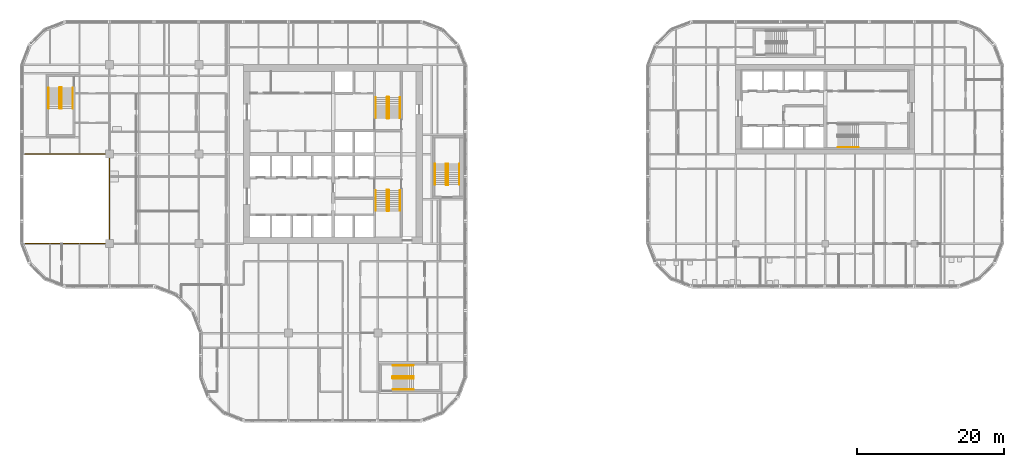
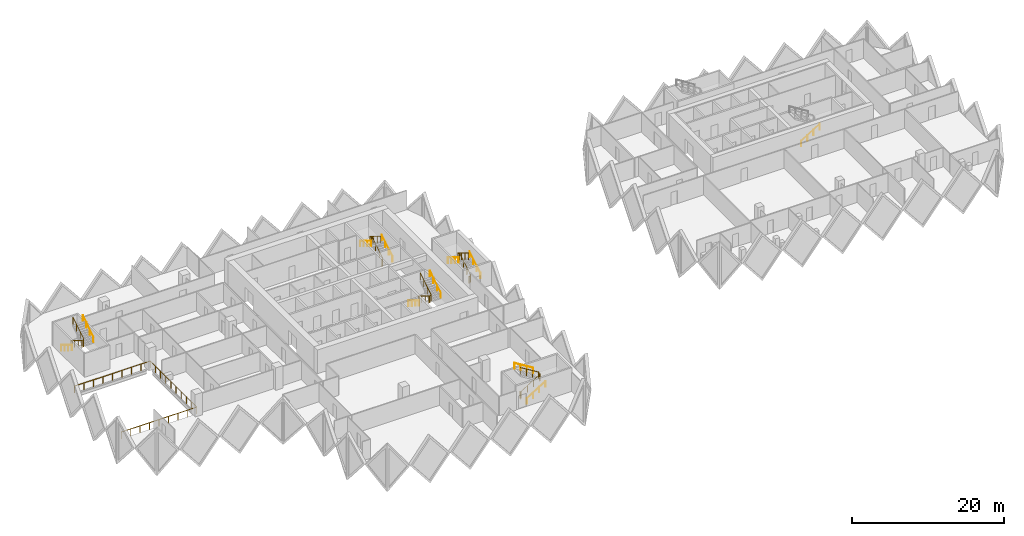
# One storey, part 18 of 20: 17 railings.
"""IFC4 building model written with IfcOpenShell, lengths in metres."""

from ifc_helpers import new_model, si_unit, direction, frame, origin, origin_2d, place, context, subcontext, project, spatial, circle, extrude, material, type_object, element, save


model = new_model("IFC4")

# Units and contexts
model_context = context("Model", 3, precision=1e-05, world=origin(), true_north=direction((0.0, 1.0)))
body_context = subcontext(model_context, "Body", "Model", "MODEL_VIEW")
ifc_project = project(units=[si_unit("LENGTHUNIT", "METRE"), si_unit("AREAUNIT", "SQUARE_METRE"), si_unit("VOLUMEUNIT", "CUBIC_METRE"), si_unit("PLANEANGLEUNIT", "RADIAN"), si_unit("MASSUNIT", "GRAM", prefix="KILO")], contexts=[model_context])

# Site, building, storey
site_placement = place(None, origin())
site = spatial("IfcSite", under=ifc_project, at=site_placement, CompositionType="ELEMENT")
building_placement = place(site_placement, origin())
building = spatial("IfcBuilding", under=site, at=building_placement, Name="Tessera Gate Towers", CompositionType="ELEMENT")
storey_placement = place(building_placement, frame((0.0, 0.0, 52.39990234375)))
storey = spatial("IfcBuildingStorey", under=building, at=storey_placement, Name="L12", CompositionType="ELEMENT", Elevation=52.39990234375)

# Railings
ifc_material_1 = material(Name="Toughened glass with stainless steel handrail", Category="steel")
railing_type_1 = type_object("IfcRailingType", Name="GUARD 1100 GLASS BALUSTRADE", PredefinedType="GUARDRAIL", material=ifc_material_1)
railing_1_placement = place(storey_placement, frame((0.750244140625, 24.39990234375, 0.0)))
element("IfcRailing", 1, at=railing_1_placement, inside=storey, type_object=railing_type_1, Name="Guard", PredefinedType="GUARDRAIL", context=body_context, shape_type="SweptSolid", body=[
    extrude(circle(Radius=0.02490234375, at=origin_2d()), frame((0.0, 0.0, 1.0751953125), z_axis=(1.0, 0.0, 0.0), x_axis=(0.0, 1.0, 0.0)), (0.0, 0.0, 1.0), 11.44970703125),
    extrude(circle(Radius=0.02490234375, at=origin_2d()), frame((11.44970703125, 0.0, 1.0751953125), z_axis=(0.0, 1.0, 0.0), x_axis=(-1.0, 0.0, 0.0)), (0.0, 0.0, 1.0), 12.2001953125),
    extrude(circle(Radius=0.02490234375, at=origin_2d()), frame((11.44970703125, 12.2001953125, 1.0751953125), z_axis=(-1.0, 0.0, 0.0), x_axis=(0.0, -1.0, 0.0)), (0.0, 0.0, 1.0), 11.5),
    extrude(circle(Radius=0.02490234375, at=origin_2d()), origin(), (0.0, 0.0, 1.0), 1.050048828125),
    extrude(circle(Radius=0.02490234375, at=origin_2d()), frame((1.43115234375, 0.0, 0.0)), (0.0, 0.0, 1.0), 1.050048828125),
    extrude(circle(Radius=0.02490234375, at=origin_2d()), frame((2.8623046875, 0.0, 0.0)), (0.0, 0.0, 1.0), 1.050048828125),
    extrude(circle(Radius=0.02490234375, at=origin_2d()), frame((4.293701171875, 0.0, 0.0)), (0.0, 0.0, 1.0), 1.050048828125),
    extrude(circle(Radius=0.02490234375, at=origin_2d()), frame((5.724853515625, 0.0, 0.0)), (0.0, 0.0, 1.0), 1.050048828125),
    extrude(circle(Radius=0.02490234375, at=origin_2d()), frame((7.156005859375, 0.0, 0.0)), (0.0, 0.0, 1.0), 1.050048828125),
    extrude(circle(Radius=0.02490234375, at=origin_2d()), frame((8.58740234375, 0.0, 0.0)), (0.0, 0.0, 1.0), 1.050048828125),
    extrude(circle(Radius=0.02490234375, at=origin_2d()), frame((10.0185546875, 0.0, 0.0)), (0.0, 0.0, 1.0), 1.050048828125),
    extrude(circle(Radius=0.02490234375, at=origin_2d()), frame((11.44970703125, 0.0, 0.0)), (0.0, 0.0, 1.0), 1.050048828125),
    extrude(circle(Radius=0.02490234375, at=origin_2d()), frame((11.44970703125, 1.35546875, 0.0)), (0.0, 0.0, 1.0), 1.050048828125),
    extrude(circle(Radius=0.02490234375, at=origin_2d()), frame((11.44970703125, 2.711181640625, 0.0)), (0.0, 0.0, 1.0), 1.050048828125),
    extrude(circle(Radius=0.02490234375, at=origin_2d()), frame((11.44970703125, 4.066650390625, 0.0)), (0.0, 0.0, 1.0), 1.050048828125),
    extrude(circle(Radius=0.02490234375, at=origin_2d()), frame((11.44970703125, 5.42236328125, 0.0)), (0.0, 0.0, 1.0), 1.050048828125),
    extrude(circle(Radius=0.02490234375, at=origin_2d()), frame((11.44970703125, 6.77783203125, 0.0)), (0.0, 0.0, 1.0), 1.050048828125),
    extrude(circle(Radius=0.02490234375, at=origin_2d()), frame((11.44970703125, 8.133544921875, 0.0)), (0.0, 0.0, 1.0), 1.050048828125),
    extrude(circle(Radius=0.02490234375, at=origin_2d()), frame((11.44970703125, 9.489013671875, 0.0)), (0.0, 0.0, 1.0), 1.050048828125),
    extrude(circle(Radius=0.02490234375, at=origin_2d()), frame((11.44970703125, 10.8447265625, 0.0)), (0.0, 0.0, 1.0), 1.050048828125),
    extrude(circle(Radius=0.02490234375, at=origin_2d()), frame((11.44970703125, 12.2001953125, 0.0)), (0.0, 0.0, 1.0), 1.050048828125),
    extrude(circle(Radius=0.02490234375, at=origin_2d()), frame((10.01220703125, 12.2001953125, 0.0)), (0.0, 0.0, 1.0), 1.050048828125),
    extrude(circle(Radius=0.02490234375, at=origin_2d()), frame((8.57470703125, 12.2001953125, 0.0)), (0.0, 0.0, 1.0), 1.050048828125),
    extrude(circle(Radius=0.02490234375, at=origin_2d()), frame((7.13720703125, 12.2001953125, 0.0)), (0.0, 0.0, 1.0), 1.050048828125),
    extrude(circle(Radius=0.02490234375, at=origin_2d()), frame((5.69970703125, 12.2001953125, 0.0)), (0.0, 0.0, 1.0), 1.050048828125),
    extrude(circle(Radius=0.02490234375, at=origin_2d()), frame((4.26220703125, 12.2001953125, 0.0)), (0.0, 0.0, 1.0), 1.050048828125),
    extrude(circle(Radius=0.02490234375, at=origin_2d()), frame((2.82470703125, 12.2001953125, 0.0)), (0.0, 0.0, 1.0), 1.050048828125),
    extrude(circle(Radius=0.02490234375, at=origin_2d()), frame((1.38720703125, 12.2001953125, 0.0)), (0.0, 0.0, 1.0), 1.050048828125),
    extrude(circle(Radius=0.02490234375, at=origin_2d()), frame((-0.05029296875, 12.2001953125, 0.0)), (0.0, 0.0, 1.0), 1.050048828125),
])
ifc_material_2 = material(Name="Steel 350W", Category="steel")
railing_type_2 = type_object("IfcRailingType", Name="STAIR GUARD 1100", PredefinedType="GUARDRAIL", material=ifc_material_2)
railing_2_placement = place(storey_placement, frame((50.27490234375, 31.72509765625, 0.0)))
element("IfcRailing", 2, at=railing_2_placement, inside=storey, type_object=railing_type_2, Name="L12 ST1 stair guard 1", PredefinedType="GUARDRAIL", context=body_context, shape_type="SweptSolid", body=[
    extrude(circle(Radius=0.02392578125, at=origin_2d()), frame((0.0, 0.0, 1.076171875), z_axis=(-1.0, 0.0, 0.0), x_axis=(0.0, -1.0, 0.0)), (0.0, 0.0, 1.0), 0.199951171875),
    extrude(circle(Radius=0.02392578125, at=origin_2d()), frame((-0.199951171875, 0.0, 1.076171875), z_axis=(-0.267953482034, -0.267953482034, 0.925419830635), x_axis=(0.707106781187, -0.707106781187, 0.0)), (0.0, 0.0, 1.0), 0.186767578125),
    extrude(circle(Radius=0.02392578125, at=origin_2d()), frame((-0.25, -0.050048828125, 1.2490234375), z_axis=(0.0, -0.851089632645, 0.525020415988), x_axis=(1.0, 0.0, 0.0)), (0.0, 0.0, 1.0), 3.2900390625),
    extrude(circle(Radius=0.02392578125, at=origin_2d()), frame((-0.25, -2.85009765625, 2.97607421875), z_axis=(0.707106781187, -0.707106781187, 0.0), x_axis=(0.707106781187, 0.707106781187, 0.0)), (0.0, 0.0, 1.0), 0.07080078125),
    extrude(circle(Radius=0.02392578125, at=origin_2d()), frame((-0.199951171875, -2.900146484375, 2.97607421875), z_axis=(1.0, 0.0, 0.0), x_axis=(0.0, 1.0, 0.0)), (0.0, 0.0, 1.0), 0.199951171875),
    extrude(circle(Radius=0.02392578125, at=origin_2d()), frame((0.0, -2.900146484375, 2.97607421875), z_axis=(0.268277960024, 0.268277960024, 0.925231793839), x_axis=(-0.707106781187, 0.707106781187, 0.0)), (0.0, 0.0, 1.0), 0.1865234375),
    extrude(circle(Radius=0.02392578125, at=origin_2d()), frame((0.050048828125, -2.85009765625, 3.14892578125), z_axis=(0.0, 0.851089632645, 0.525020415988), x_axis=(-1.0, 0.0, 0.0)), (0.0, 0.0, 1.0), 3.2900390625),
    extrude(circle(Radius=0.02099609375, at=origin_2d()), origin(), (0.0, 0.0, 1.0), 1.052001953125),
    extrude(circle(Radius=0.02099609375, at=origin_2d()), frame((-0.199951171875, 0.0, 0.0)), (0.0, 0.0, 1.0), 1.052001953125),
    extrude(circle(Radius=0.02099609375, at=origin_2d()), frame((-0.25, -0.050048828125, 0.1728515625)), (0.0, 0.0, 1.0), 1.052001953125),
    extrude(circle(Radius=0.02099609375, at=origin_2d()), frame((-0.25, -0.9833984375, 0.74853515625)), (0.0, 0.0, 1.0), 1.052001953125),
    extrude(circle(Radius=0.02099609375, at=origin_2d()), frame((-0.25, -1.916748046875, 1.324462890625)), (0.0, 0.0, 1.0), 1.052001953125),
    extrude(circle(Radius=0.02099609375, at=origin_2d()), frame((-0.25, -2.85009765625, 1.900146484375)), (0.0, 0.0, 1.0), 1.052001953125),
    extrude(circle(Radius=0.02099609375, at=origin_2d()), frame((-0.199951171875, -2.900146484375, 1.900146484375)), (0.0, 0.0, 1.0), 1.052001953125),
    extrude(circle(Radius=0.02099609375, at=origin_2d()), frame((0.0, -2.900146484375, 1.900146484375)), (0.0, 0.0, 1.0), 1.052001953125),
    extrude(circle(Radius=0.02099609375, at=origin_2d()), frame((0.050048828125, -2.85009765625, 2.07275390625)), (0.0, 0.0, 1.0), 1.052001953125),
    extrude(circle(Radius=0.02099609375, at=origin_2d()), frame((0.050048828125, -1.916748046875, 2.6484375)), (0.0, 0.0, 1.0), 1.052001953125),
    extrude(circle(Radius=0.02099609375, at=origin_2d()), frame((0.050048828125, -0.9833984375, 3.224365234375)), (0.0, 0.0, 1.0), 1.052001953125),
    extrude(circle(Radius=0.02099609375, at=origin_2d()), frame((0.050048828125, -0.050048828125, 3.800048828125)), (0.0, 0.0, 1.0), 1.052001953125),
])
railing_3_placement = place(storey_placement, frame((50.074951171875, 41.47509765625, 0.0)))
element("IfcRailing", 3, at=railing_3_placement, inside=storey, type_object=railing_type_2, Name="L12 ST2 stair guard 1", PredefinedType="GUARDRAIL", context=body_context, shape_type="SweptSolid", body=[
    extrude(circle(Radius=0.02392578125, at=origin_2d()), frame((0.0, 0.0, 1.076171875), z_axis=(1.0, 0.0, 0.0), x_axis=(0.0, 1.0, 0.0)), (0.0, 0.0, 1.0), 0.199951171875),
    extrude(circle(Radius=0.02392578125, at=origin_2d()), frame((0.199951171875, 0.0, 1.076171875), z_axis=(0.268047150085, 0.266739603011, 0.925743328097), x_axis=(-0.705375805398, 0.708833529934, 0.0)), (0.0, 0.0, 1.0), 0.186767578125),
    extrude(circle(Radius=0.02392578125, at=origin_2d()), frame((0.25, 0.0498046875, 1.2490234375), z_axis=(0.0, 0.851089632645, 0.525020415988), x_axis=(-1.0, 0.0, 0.0)), (0.0, 0.0, 1.0), 3.2900390625),
    extrude(circle(Radius=0.02392578125, at=origin_2d()), frame((0.25, 2.849853515625, 2.97607421875), z_axis=(-0.707106781187, 0.707106781187, 0.0), x_axis=(-0.707106781187, -0.707106781187, 0.0)), (0.0, 0.0, 1.0), 0.07080078125),
    extrude(circle(Radius=0.02392578125, at=origin_2d()), frame((0.199951171875, 2.89990234375, 2.97607421875), z_axis=(-1.0, 0.0, 0.0), x_axis=(0.0, -1.0, 0.0)), (0.0, 0.0, 1.0), 0.199951171875),
    extrude(circle(Radius=0.02392578125, at=origin_2d()), frame((0.0, 2.89990234375, 2.97607421875), z_axis=(-0.268277960024, -0.268277960024, 0.925231793839), x_axis=(0.707106781187, -0.707106781187, 0.0)), (0.0, 0.0, 1.0), 0.1865234375),
    extrude(circle(Radius=0.02392578125, at=origin_2d()), frame((-0.050048828125, 2.849853515625, 3.14892578125), z_axis=(0.0, -0.851089632645, 0.525020415988), x_axis=(1.0, 0.0, 0.0)), (0.0, 0.0, 1.0), 3.2900390625),
    extrude(circle(Radius=0.02099609375, at=origin_2d()), origin(), (0.0, 0.0, 1.0), 1.052001953125),
    extrude(circle(Radius=0.02099609375, at=origin_2d()), frame((0.199951171875, 0.0, 0.0)), (0.0, 0.0, 1.0), 1.052001953125),
    extrude(circle(Radius=0.02099609375, at=origin_2d()), frame((0.25, 0.0498046875, 0.1728515625)), (0.0, 0.0, 1.0), 1.052001953125),
    extrude(circle(Radius=0.02099609375, at=origin_2d()), frame((0.25, 0.983154296875, 0.74853515625)), (0.0, 0.0, 1.0), 1.052001953125),
    extrude(circle(Radius=0.02099609375, at=origin_2d()), frame((0.25, 1.91650390625, 1.324462890625)), (0.0, 0.0, 1.0), 1.052001953125),
    extrude(circle(Radius=0.02099609375, at=origin_2d()), frame((0.25, 2.849853515625, 1.900146484375)), (0.0, 0.0, 1.0), 1.052001953125),
    extrude(circle(Radius=0.02099609375, at=origin_2d()), frame((0.199951171875, 2.89990234375, 1.900146484375)), (0.0, 0.0, 1.0), 1.052001953125),
    extrude(circle(Radius=0.02099609375, at=origin_2d()), frame((0.0, 2.89990234375, 1.900146484375)), (0.0, 0.0, 1.0), 1.052001953125),
    extrude(circle(Radius=0.02099609375, at=origin_2d()), frame((-0.050048828125, 2.849853515625, 2.07275390625)), (0.0, 0.0, 1.0), 1.052001953125),
    extrude(circle(Radius=0.02099609375, at=origin_2d()), frame((-0.050048828125, 1.91650390625, 2.6484375)), (0.0, 0.0, 1.0), 1.052001953125),
    extrude(circle(Radius=0.02099609375, at=origin_2d()), frame((-0.050048828125, 0.983154296875, 3.224365234375)), (0.0, 0.0, 1.0), 1.052001953125),
    extrude(circle(Radius=0.02099609375, at=origin_2d()), frame((-0.050048828125, 0.0498046875, 3.800048828125)), (0.0, 0.0, 1.0), 1.052001953125),
])
railing_4_placement = place(storey_placement, frame((5.64990234375, 45.699951171875, 0.0)))
element("IfcRailing", 4, at=railing_4_placement, inside=storey, type_object=railing_type_2, Name="L12 ST3 stair guard 1", PredefinedType="GUARDRAIL", context=body_context, shape_type="SweptSolid", body=[
    extrude(circle(Radius=0.02392578125, at=origin_2d()), frame((0.0, 0.0, 1.076171875), z_axis=(-1.0, 0.0, 0.0), x_axis=(0.0, -1.0, 0.0)), (0.0, 0.0, 1.0), 0.199951171875),
    extrude(circle(Radius=0.02392578125, at=origin_2d()), frame((-0.199951171875, 0.0, 1.076171875), z_axis=(-0.267953482034, -0.267953482034, 0.925419830635), x_axis=(0.707106781187, -0.707106781187, 0.0)), (0.0, 0.0, 1.0), 0.186767578125),
    extrude(circle(Radius=0.02392578125, at=origin_2d()), frame((-0.25, -0.050048828125, 1.2490234375), z_axis=(0.0, -0.851069175582, 0.525053576669), x_axis=(1.0, 0.0, 0.0)), (0.0, 0.0, 1.0), 3.289794921875),
    extrude(circle(Radius=0.02392578125, at=origin_2d()), frame((-0.25, -2.849853515625, 2.97607421875), z_axis=(0.707106781187, -0.707106781187, 0.0), x_axis=(0.707106781187, 0.707106781187, 0.0)), (0.0, 0.0, 1.0), 0.07080078125),
    extrude(circle(Radius=0.02392578125, at=origin_2d()), frame((-0.199951171875, -2.89990234375, 2.97607421875), z_axis=(1.0, 0.0, 0.0), x_axis=(0.0, 1.0, 0.0)), (0.0, 0.0, 1.0), 0.199951171875),
    extrude(circle(Radius=0.02392578125, at=origin_2d()), frame((0.0, -2.89990234375, 2.97607421875), z_axis=(0.268277960024, 0.268277960024, 0.925231793839), x_axis=(-0.707106781187, 0.707106781187, 0.0)), (0.0, 0.0, 1.0), 0.1865234375),
    extrude(circle(Radius=0.02392578125, at=origin_2d()), frame((0.050048828125, -2.849853515625, 3.14892578125), z_axis=(0.0, 0.851069175582, 0.525053576669), x_axis=(-1.0, 0.0, 0.0)), (0.0, 0.0, 1.0), 3.289794921875),
    extrude(circle(Radius=0.02099609375, at=origin_2d()), origin(), (0.0, 0.0, 1.0), 1.052001953125),
    extrude(circle(Radius=0.02099609375, at=origin_2d()), frame((-0.199951171875, 0.0, 0.0)), (0.0, 0.0, 1.0), 1.052001953125),
    extrude(circle(Radius=0.02099609375, at=origin_2d()), frame((-0.25, -0.050048828125, 0.1728515625)), (0.0, 0.0, 1.0), 1.052001953125),
    extrude(circle(Radius=0.02099609375, at=origin_2d()), frame((-0.25, -0.9833984375, 0.74853515625)), (0.0, 0.0, 1.0), 1.052001953125),
    extrude(circle(Radius=0.02099609375, at=origin_2d()), frame((-0.25, -1.91650390625, 1.324462890625)), (0.0, 0.0, 1.0), 1.052001953125),
    extrude(circle(Radius=0.02099609375, at=origin_2d()), frame((-0.25, -2.849853515625, 1.900146484375)), (0.0, 0.0, 1.0), 1.052001953125),
    extrude(circle(Radius=0.02099609375, at=origin_2d()), frame((-0.199951171875, -2.89990234375, 1.900146484375)), (0.0, 0.0, 1.0), 1.052001953125),
    extrude(circle(Radius=0.02099609375, at=origin_2d()), frame((0.0, -2.89990234375, 1.900146484375)), (0.0, 0.0, 1.0), 1.052001953125),
    extrude(circle(Radius=0.02099609375, at=origin_2d()), frame((0.050048828125, -2.849853515625, 2.07275390625)), (0.0, 0.0, 1.0), 1.052001953125),
    extrude(circle(Radius=0.02099609375, at=origin_2d()), frame((0.050048828125, -1.91650390625, 2.6484375)), (0.0, 0.0, 1.0), 1.052001953125),
    extrude(circle(Radius=0.02099609375, at=origin_2d()), frame((0.050048828125, -0.9833984375, 3.224365234375)), (0.0, 0.0, 1.0), 1.052001953125),
    extrude(circle(Radius=0.02099609375, at=origin_2d()), frame((0.050048828125, -0.050048828125, 3.800048828125)), (0.0, 0.0, 1.0), 1.052001953125),
])
railing_5_placement = place(storey_placement, frame((50.800048828125, 6.25, 0.0)))
element("IfcRailing", 5, at=railing_5_placement, inside=storey, type_object=railing_type_2, Name="L12 ST4 stair guard 1", PredefinedType="GUARDRAIL", context=body_context, shape_type="SweptSolid", body=[
    extrude(circle(Radius=0.02392578125, at=origin_2d()), frame((0.0, 0.0, 1.076171875), z_axis=(0.0, -1.0, 0.0), x_axis=(1.0, 0.0, 0.0)), (0.0, 0.0, 1.0), 0.199951171875),
    extrude(circle(Radius=0.02392578125, at=origin_2d()), frame((0.0, -0.199951171875, 1.076171875), z_axis=(0.267953482034, -0.267953482034, 0.925419830635), x_axis=(0.707106781187, 0.707106781187, 0.0)), (0.0, 0.0, 1.0), 0.186767578125),
    extrude(circle(Radius=0.02392578125, at=origin_2d()), frame((0.050048828125, -0.25, 1.2490234375), z_axis=(0.851069175582, 0.0, 0.525053576669), x_axis=(0.0, 1.0, 0.0)), (0.0, 0.0, 1.0), 3.289794921875),
    extrude(circle(Radius=0.02392578125, at=origin_2d()), frame((2.849853515625, -0.25, 2.97607421875), z_axis=(0.707106781187, 0.707106781187, 0.0), x_axis=(-0.707106781187, 0.707106781187, 0.0)), (0.0, 0.0, 1.0), 0.07080078125),
    extrude(circle(Radius=0.02392578125, at=origin_2d()), frame((2.89990234375, -0.199951171875, 2.97607421875), z_axis=(0.0, 1.0, 0.0), x_axis=(-1.0, 0.0, 0.0)), (0.0, 0.0, 1.0), 0.199951171875),
    extrude(circle(Radius=0.02392578125, at=origin_2d()), frame((2.89990234375, 0.0, 2.97607421875), z_axis=(-0.268277960024, 0.268277960024, 0.925231793839), x_axis=(-0.707106781187, -0.707106781187, 0.0)), (0.0, 0.0, 1.0), 0.1865234375),
    extrude(circle(Radius=0.02392578125, at=origin_2d()), frame((2.849853515625, 0.050048828125, 3.14892578125), z_axis=(-0.851069175582, 0.0, 0.525053576669), x_axis=(0.0, -1.0, 0.0)), (0.0, 0.0, 1.0), 3.289794921875),
    extrude(circle(Radius=0.02099609375, at=origin_2d()), origin(), (0.0, 0.0, 1.0), 1.052001953125),
    extrude(circle(Radius=0.02099609375, at=origin_2d()), frame((0.0, -0.199951171875, 0.0)), (0.0, 0.0, 1.0), 1.052001953125),
    extrude(circle(Radius=0.02099609375, at=origin_2d()), frame((0.050048828125, -0.25, 0.1728515625)), (0.0, 0.0, 1.0), 1.052001953125),
    extrude(circle(Radius=0.02099609375, at=origin_2d()), frame((0.9833984375, -0.25, 0.74853515625)), (0.0, 0.0, 1.0), 1.052001953125),
    extrude(circle(Radius=0.02099609375, at=origin_2d()), frame((1.91650390625, -0.25, 1.324462890625)), (0.0, 0.0, 1.0), 1.052001953125),
    extrude(circle(Radius=0.02099609375, at=origin_2d()), frame((2.849853515625, -0.25, 1.900146484375)), (0.0, 0.0, 1.0), 1.052001953125),
    extrude(circle(Radius=0.02099609375, at=origin_2d()), frame((2.89990234375, -0.199951171875, 1.900146484375)), (0.0, 0.0, 1.0), 1.052001953125),
    extrude(circle(Radius=0.02099609375, at=origin_2d()), frame((2.89990234375, 0.0, 1.900146484375)), (0.0, 0.0, 1.0), 1.052001953125),
    extrude(circle(Radius=0.02099609375, at=origin_2d()), frame((2.849853515625, 0.050048828125, 2.07275390625)), (0.0, 0.0, 1.0), 1.052001953125),
    extrude(circle(Radius=0.02099609375, at=origin_2d()), frame((1.91650390625, 0.050048828125, 2.6484375)), (0.0, 0.0, 1.0), 1.052001953125),
    extrude(circle(Radius=0.02099609375, at=origin_2d()), frame((0.9833984375, 0.050048828125, 3.224365234375)), (0.0, 0.0, 1.0), 1.052001953125),
    extrude(circle(Radius=0.02099609375, at=origin_2d()), frame((0.050048828125, 0.050048828125, 3.800048828125)), (0.0, 0.0, 1.0), 1.052001953125),
])
railing_6_placement = place(storey_placement, frame((58.14990234375, 32.39990234375, 0.0)))
element("IfcRailing", 6, at=railing_6_placement, inside=storey, type_object=railing_type_2, Name="L12 ST5 stair guard 1", PredefinedType="GUARDRAIL", context=body_context, shape_type="SweptSolid", body=[
    extrude(circle(Radius=0.02392578125, at=origin_2d()), frame((0.0, 0.0, 1.076171875), z_axis=(1.0, 0.0, 0.0), x_axis=(0.0, 1.0, 0.0)), (0.0, 0.0, 1.0), 0.2001953125),
    extrude(circle(Radius=0.02392578125, at=origin_2d()), frame((0.2001953125, 0.0, 1.076171875), z_axis=(0.266739603011, 0.268047150085, 0.925743328097), x_axis=(-0.708833529934, 0.705375805398, 0.0)), (0.0, 0.0, 1.0), 0.186767578125),
    extrude(circle(Radius=0.02392578125, at=origin_2d()), frame((0.25, 0.050048828125, 1.2490234375), z_axis=(0.0, 0.851089632645, 0.525020415988), x_axis=(-1.0, 0.0, 0.0)), (0.0, 0.0, 1.0), 3.2900390625),
    extrude(circle(Radius=0.02392578125, at=origin_2d()), frame((0.25, 2.85009765625, 2.97607421875), z_axis=(-0.705375805398, 0.708833529934, 0.0), x_axis=(-0.708833529934, -0.705375805398, 0.0)), (0.0, 0.0, 1.0), 0.070556640625),
    extrude(circle(Radius=0.02392578125, at=origin_2d()), frame((0.2001953125, 2.900146484375, 2.97607421875), z_axis=(-1.0, 0.0, 0.0), x_axis=(0.0, -1.0, 0.0)), (0.0, 0.0, 1.0), 0.2001953125),
    extrude(circle(Radius=0.02392578125, at=origin_2d()), frame((0.0, 2.900146484375, 2.97607421875), z_axis=(-0.267062837333, -0.268371968888, 0.925556009775), x_axis=(0.708833529934, -0.705375805398, 0.0)), (0.0, 0.0, 1.0), 0.1865234375),
    extrude(circle(Radius=0.02392578125, at=origin_2d()), frame((-0.0498046875, 2.85009765625, 3.14892578125), z_axis=(0.0, -0.851089632645, 0.525020415988), x_axis=(1.0, 0.0, 0.0)), (0.0, 0.0, 1.0), 3.2900390625),
    extrude(circle(Radius=0.02099609375, at=origin_2d()), origin(), (0.0, 0.0, 1.0), 1.052001953125),
    extrude(circle(Radius=0.02099609375, at=origin_2d()), frame((0.2001953125, 0.0, 0.0)), (0.0, 0.0, 1.0), 1.052001953125),
    extrude(circle(Radius=0.02099609375, at=origin_2d()), frame((0.25, 0.050048828125, 0.1728515625)), (0.0, 0.0, 1.0), 1.052001953125),
    extrude(circle(Radius=0.02099609375, at=origin_2d()), frame((0.25, 0.9833984375, 0.74853515625)), (0.0, 0.0, 1.0), 1.052001953125),
    extrude(circle(Radius=0.02099609375, at=origin_2d()), frame((0.25, 1.916748046875, 1.324462890625)), (0.0, 0.0, 1.0), 1.052001953125),
    extrude(circle(Radius=0.02099609375, at=origin_2d()), frame((0.25, 2.85009765625, 1.900146484375)), (0.0, 0.0, 1.0), 1.052001953125),
    extrude(circle(Radius=0.02099609375, at=origin_2d()), frame((0.2001953125, 2.900146484375, 1.900146484375)), (0.0, 0.0, 1.0), 1.052001953125),
    extrude(circle(Radius=0.02099609375, at=origin_2d()), frame((0.0, 2.900146484375, 1.900146484375)), (0.0, 0.0, 1.0), 1.052001953125),
    extrude(circle(Radius=0.02099609375, at=origin_2d()), frame((-0.0498046875, 2.85009765625, 2.07275390625)), (0.0, 0.0, 1.0), 1.052001953125),
    extrude(circle(Radius=0.02099609375, at=origin_2d()), frame((-0.0498046875, 1.916748046875, 2.6484375)), (0.0, 0.0, 1.0), 1.052001953125),
    extrude(circle(Radius=0.02099609375, at=origin_2d()), frame((-0.0498046875, 0.9833984375, 3.224365234375)), (0.0, 0.0, 1.0), 1.052001953125),
    extrude(circle(Radius=0.02099609375, at=origin_2d()), frame((-0.0498046875, 0.050048828125, 3.800048828125)), (0.0, 0.0, 1.0), 1.052001953125),
])
ifc_material_3 = material(Name="Steel 350W", Category="steel")
railing_type_3 = type_object("IfcRailingType", Name="STAIR HANDRAIL 900", PredefinedType="HANDRAIL", material=ifc_material_3)
railing_7_placement = place(storey_placement, frame((48.52490234375, 31.675048828125, 0.1728515625)))
element("IfcRailing", 7, at=railing_7_placement, inside=storey, type_object=railing_type_3, Name="L12 ST1 stair handrail 1", PredefinedType="HANDRAIL", context=body_context, shape_type="SweptSolid", body=[
    extrude(circle(Radius=0.02392578125, at=origin_2d()), frame((0.0, 0.0, 0.8759765625), z_axis=(0.0, -0.851089632645, 0.525020415988), x_axis=(1.0, 0.0, 0.0)), (0.0, 0.0, 1.0), 3.2900390625),
    extrude(circle(Radius=0.02099609375, at=origin_2d()), origin(), (0.0, 0.0, 1.0), 0.851806640625),
    extrude(circle(Radius=0.02099609375, at=origin_2d()), frame((0.0, -0.933349609375, 0.57568359375)), (0.0, 0.0, 1.0), 0.851806640625),
    extrude(circle(Radius=0.02099609375, at=origin_2d()), frame((0.0, -1.86669921875, 1.151611328125)), (0.0, 0.0, 1.0), 0.851806640625),
    extrude(circle(Radius=0.02099609375, at=origin_2d()), frame((0.0, -2.800048828125, 1.727294921875)), (0.0, 0.0, 1.0), 0.851806640625),
])
for number, where, name in (
    (8, (51.824951171875, 28.875, 2.07275390625), "L12 ST1 stair handrail 2"),
    (9, (51.824951171875, 41.52490234375, 0.1728515625), "L12 ST2 stair handrail 1"),
):
    element("IfcRailing", number, at=place(storey_placement, frame(where)), inside=storey, type_object=railing_type_3, Name=name, PredefinedType="HANDRAIL", context=body_context, shape_type="SweptSolid", body=[
        extrude(circle(Radius=0.02392578125, at=origin_2d()), frame((0.0, 0.0, 0.8759765625), z_axis=(0.0, 0.851089632645, 0.525020415988), x_axis=(-1.0, 0.0, 0.0)), (0.0, 0.0, 1.0), 3.2900390625),
        extrude(circle(Radius=0.02099609375, at=origin_2d()), origin(), (0.0, 0.0, 1.0), 0.851806640625),
        extrude(circle(Radius=0.02099609375, at=origin_2d()), frame((0.0, 0.933349609375, 0.57568359375)), (0.0, 0.0, 1.0), 0.851806640625),
        extrude(circle(Radius=0.02099609375, at=origin_2d()), frame((0.0, 1.86669921875, 1.151611328125)), (0.0, 0.0, 1.0), 0.851806640625),
        extrude(circle(Radius=0.02099609375, at=origin_2d()), frame((0.0, 2.800048828125, 1.727294921875)), (0.0, 0.0, 1.0), 0.851806640625),
    ])
railing_8_placement = place(storey_placement, frame((48.52490234375, 44.324951171875, 2.07275390625)))
element("IfcRailing", 10, at=railing_8_placement, inside=storey, type_object=railing_type_3, Name="L12 ST2 stair handrail 2", PredefinedType="HANDRAIL", context=body_context, shape_type="SweptSolid", body=[
    extrude(circle(Radius=0.02392578125, at=origin_2d()), frame((0.0, 0.0, 0.8759765625), z_axis=(0.0, -0.851089632645, 0.525020415988), x_axis=(1.0, 0.0, 0.0)), (0.0, 0.0, 1.0), 3.2900390625),
    extrude(circle(Radius=0.02099609375, at=origin_2d()), origin(), (0.0, 0.0, 1.0), 0.851806640625),
    extrude(circle(Radius=0.02099609375, at=origin_2d()), frame((0.0, -0.933349609375, 0.57568359375)), (0.0, 0.0, 1.0), 0.851806640625),
    extrude(circle(Radius=0.02099609375, at=origin_2d()), frame((0.0, -1.86669921875, 1.151611328125)), (0.0, 0.0, 1.0), 0.851806640625),
    extrude(circle(Radius=0.02099609375, at=origin_2d()), frame((0.0, -2.800048828125, 1.727294921875)), (0.0, 0.0, 1.0), 0.851806640625),
])
railing_9_placement = place(storey_placement, frame((3.89990234375, 45.64990234375, 0.1728515625)))
element("IfcRailing", 11, at=railing_9_placement, inside=storey, type_object=railing_type_3, Name="L12 ST3 stair handrail 1", PredefinedType="HANDRAIL", context=body_context, shape_type="SweptSolid", body=[
    extrude(circle(Radius=0.02392578125, at=origin_2d()), frame((0.0, 0.0, 0.8759765625), z_axis=(0.0, -0.851069175582, 0.525053576669), x_axis=(1.0, 0.0, 0.0)), (0.0, 0.0, 1.0), 3.289794921875),
    extrude(circle(Radius=0.02099609375, at=origin_2d()), origin(), (0.0, 0.0, 1.0), 0.851806640625),
    extrude(circle(Radius=0.02099609375, at=origin_2d()), frame((0.0, -0.933349609375, 0.57568359375)), (0.0, 0.0, 1.0), 0.851806640625),
    extrude(circle(Radius=0.02099609375, at=origin_2d()), frame((0.0, -1.866455078125, 1.151611328125)), (0.0, 0.0, 1.0), 0.851806640625),
    extrude(circle(Radius=0.02099609375, at=origin_2d()), frame((0.0, -2.7998046875, 1.727294921875)), (0.0, 0.0, 1.0), 0.851806640625),
])
railing_10_placement = place(storey_placement, frame((7.199951171875, 42.85009765625, 2.07275390625)))
element("IfcRailing", 12, at=railing_10_placement, inside=storey, type_object=railing_type_3, Name="L12 ST3 stair handrail 2", PredefinedType="HANDRAIL", context=body_context, shape_type="SweptSolid", body=[
    extrude(circle(Radius=0.02392578125, at=origin_2d()), frame((0.0, 0.0, 0.8759765625), z_axis=(0.0, 0.851069175582, 0.525053576669), x_axis=(-1.0, 0.0, 0.0)), (0.0, 0.0, 1.0), 3.289794921875),
    extrude(circle(Radius=0.02099609375, at=origin_2d()), origin(), (0.0, 0.0, 1.0), 0.851806640625),
    extrude(circle(Radius=0.02099609375, at=origin_2d()), frame((0.0, 0.933349609375, 0.57568359375)), (0.0, 0.0, 1.0), 0.851806640625),
    extrude(circle(Radius=0.02099609375, at=origin_2d()), frame((0.0, 1.866455078125, 1.151611328125)), (0.0, 0.0, 1.0), 0.851806640625),
    extrude(circle(Radius=0.02099609375, at=origin_2d()), frame((0.0, 2.7998046875, 1.727294921875)), (0.0, 0.0, 1.0), 0.851806640625),
])
railing_11_placement = place(storey_placement, frame((50.85009765625, 4.5, 0.1728515625)))
element("IfcRailing", 13, at=railing_11_placement, inside=storey, type_object=railing_type_3, Name="L12 ST4 stair handrail 1", PredefinedType="HANDRAIL", context=body_context, shape_type="SweptSolid", body=[
    extrude(circle(Radius=0.02392578125, at=origin_2d()), frame((0.0, 0.0, 0.8759765625), z_axis=(0.851069175582, 0.0, 0.525053576669), x_axis=(0.0, 1.0, 0.0)), (0.0, 0.0, 1.0), 3.289794921875),
    extrude(circle(Radius=0.02099609375, at=origin_2d()), origin(), (0.0, 0.0, 1.0), 0.851806640625),
    extrude(circle(Radius=0.02099609375, at=origin_2d()), frame((0.933349609375, 0.0, 0.57568359375)), (0.0, 0.0, 1.0), 0.851806640625),
    extrude(circle(Radius=0.02099609375, at=origin_2d()), frame((1.866455078125, 0.0, 1.151611328125)), (0.0, 0.0, 1.0), 0.851806640625),
    extrude(circle(Radius=0.02099609375, at=origin_2d()), frame((2.7998046875, 0.0, 1.727294921875)), (0.0, 0.0, 1.0), 0.851806640625),
])
railing_12_placement = place(storey_placement, frame((53.64990234375, 7.800048828125, 2.07275390625)))
element("IfcRailing", 14, at=railing_12_placement, inside=storey, type_object=railing_type_3, Name="L12 ST4 stair handrail 2", PredefinedType="HANDRAIL", context=body_context, shape_type="SweptSolid", body=[
    extrude(circle(Radius=0.02392578125, at=origin_2d()), frame((0.0, 0.0, 0.8759765625), z_axis=(-0.851069175582, 0.0, 0.525053576669), x_axis=(0.0, -1.0, 0.0)), (0.0, 0.0, 1.0), 3.289794921875),
    extrude(circle(Radius=0.02099609375, at=origin_2d()), origin(), (0.0, 0.0, 1.0), 0.851806640625),
    extrude(circle(Radius=0.02099609375, at=origin_2d()), frame((-0.933349609375, 0.0, 0.57568359375)), (0.0, 0.0, 1.0), 0.851806640625),
    extrude(circle(Radius=0.02099609375, at=origin_2d()), frame((-1.866455078125, 0.0, 1.151611328125)), (0.0, 0.0, 1.0), 0.851806640625),
    extrude(circle(Radius=0.02099609375, at=origin_2d()), frame((-2.7998046875, 0.0, 1.727294921875)), (0.0, 0.0, 1.0), 0.851806640625),
])
railing_13_placement = place(storey_placement, frame((59.89990234375, 32.449951171875, 0.1728515625)))
element("IfcRailing", 15, at=railing_13_placement, inside=storey, type_object=railing_type_3, Name="L12 ST5 stair handrail 1", PredefinedType="HANDRAIL", context=body_context, shape_type="SweptSolid", body=[
    extrude(circle(Radius=0.02392578125, at=origin_2d()), frame((0.0, 0.0, 0.8759765625), z_axis=(0.0, 0.851089632645, 0.525020415988), x_axis=(-1.0, 0.0, 0.0)), (0.0, 0.0, 1.0), 3.2900390625),
    extrude(circle(Radius=0.02099609375, at=origin_2d()), origin(), (0.0, 0.0, 1.0), 0.851806640625),
    extrude(circle(Radius=0.02099609375, at=origin_2d()), frame((0.0, 0.933349609375, 0.57568359375)), (0.0, 0.0, 1.0), 0.851806640625),
    extrude(circle(Radius=0.02099609375, at=origin_2d()), frame((0.0, 1.86669921875, 1.151611328125)), (0.0, 0.0, 1.0), 0.851806640625),
    extrude(circle(Radius=0.02099609375, at=origin_2d()), frame((0.0, 2.800048828125, 1.727294921875)), (0.0, 0.0, 1.0), 0.851806640625),
])
railing_14_placement = place(storey_placement, frame((56.60009765625, 35.25, 2.07275390625)))
element("IfcRailing", 16, at=railing_14_placement, inside=storey, type_object=railing_type_3, Name="L12 ST5 stair handrail 2", PredefinedType="HANDRAIL", context=body_context, shape_type="SweptSolid", body=[
    extrude(circle(Radius=0.02392578125, at=origin_2d()), frame((0.0, 0.0, 0.8759765625), z_axis=(0.0, -0.851089632645, 0.525020415988), x_axis=(1.0, 0.0, 0.0)), (0.0, 0.0, 1.0), 3.2900390625),
    extrude(circle(Radius=0.02099609375, at=origin_2d()), origin(), (0.0, 0.0, 1.0), 0.851806640625),
    extrude(circle(Radius=0.02099609375, at=origin_2d()), frame((0.0, -0.933349609375, 0.57568359375)), (0.0, 0.0, 1.0), 0.851806640625),
    extrude(circle(Radius=0.02099609375, at=origin_2d()), frame((0.0, -1.86669921875, 1.151611328125)), (0.0, 0.0, 1.0), 0.851806640625),
    extrude(circle(Radius=0.02099609375, at=origin_2d()), frame((0.0, -2.800048828125, 1.727294921875)), (0.0, 0.0, 1.0), 0.851806640625),
])
railing_15_placement = place(storey_placement, frame((111.550048828125, 37.550048828125, 0.1728515625)))
element("IfcRailing", 17, at=railing_15_placement, inside=storey, type_object=railing_type_3, Name="L12 ST6 stair handrail 1", PredefinedType="HANDRAIL", context=body_context, shape_type="SweptSolid", body=[
    extrude(circle(Radius=0.02392578125, at=origin_2d()), frame((0.0, 0.0, 0.8759765625), z_axis=(0.851089632645, 0.0, 0.525020415988), x_axis=(0.0, 1.0, 0.0)), (0.0, 0.0, 1.0), 3.2900390625),
    extrude(circle(Radius=0.02099609375, at=origin_2d()), origin(), (0.0, 0.0, 1.0), 0.851806640625),
    extrude(circle(Radius=0.02099609375, at=origin_2d()), frame((0.933349609375, 0.0, 0.57568359375)), (0.0, 0.0, 1.0), 0.851806640625),
    extrude(circle(Radius=0.02099609375, at=origin_2d()), frame((1.86669921875, 0.0, 1.151611328125)), (0.0, 0.0, 1.0), 0.851806640625),
    extrude(circle(Radius=0.02099609375, at=origin_2d()), frame((2.800048828125, 0.0, 1.727294921875)), (0.0, 0.0, 1.0), 0.851806640625),
])

save(model, "model.ifc")
